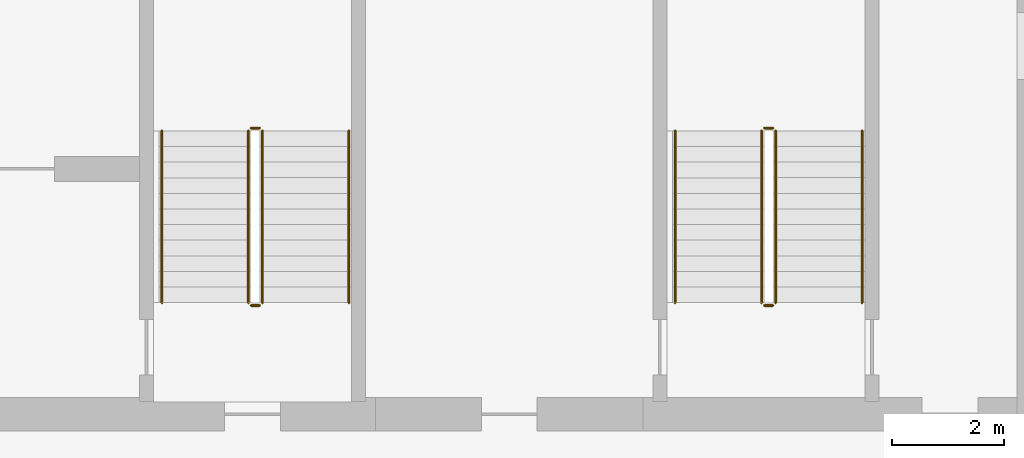
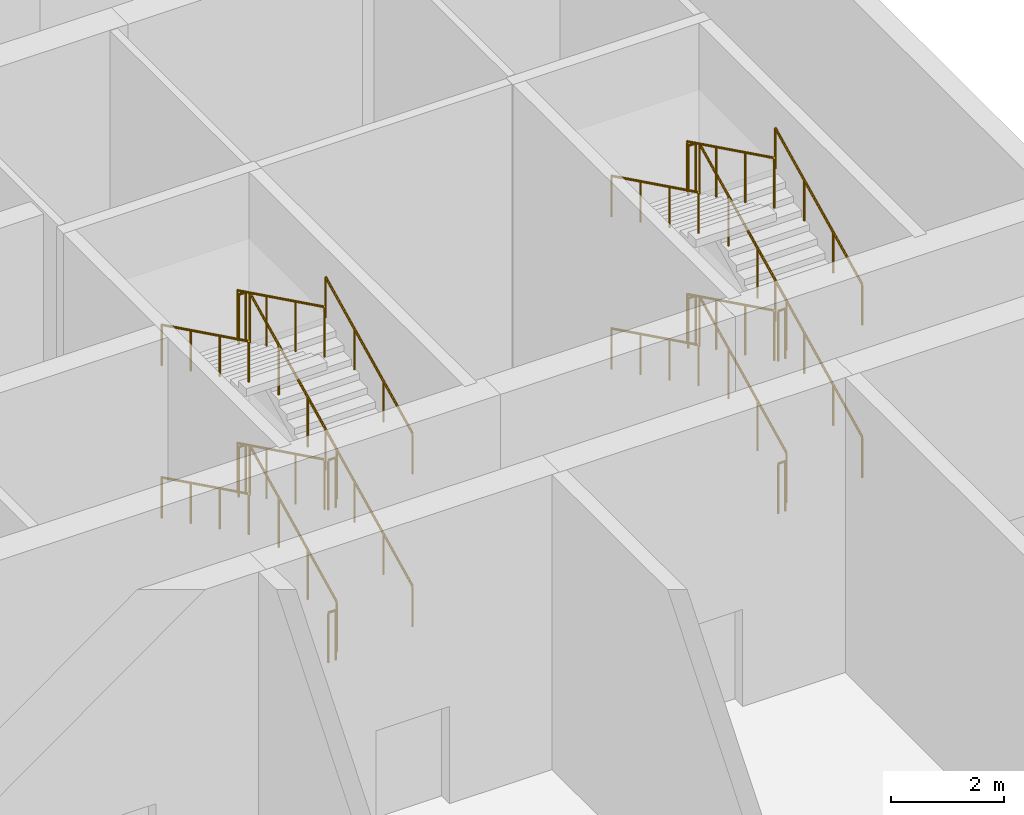
# One storey, part 13 of 13: 24 railings.
"""IFC4 building model written with IfcOpenShell, lengths in metres."""

import ifcopenshell
import ifcopenshell.guid

model = None  # the IFC model being written
_history = None  # IfcOwnerHistory: only IFC2X3 demands one
_inside = {}  # id of a spatial element -> (the spatial element, [elements in it])
_under = {}  # id of a project, library or spatial element -> (it, [spatial elements below it])
_declared = {}  # id of a project -> (the project, [libraries it declares])
_typed = {}  # id of a type object -> (the type object, [elements of that type])
_made_of = {}  # id of a material, layer set ... -> (it, [elements and type objects made of it])


def new_model(schema):
    """Start an empty IFC model of exactly this schema.

    Asked for "IFC4X3", IfcOpenShell would pick the latest addendum, in which some entities
    have other attributes; the version numbers below select the first issue.
    IFC2X3 requires an IfcOwnerHistory on every rooted entity: one is made here for all.
    """
    global model, _history
    if schema == "IFC4X3":
        model = ifcopenshell.file(schema_version=(4, 3, 0, 0))
    else:
        model = ifcopenshell.file(schema=schema)
    _inside.clear()
    _under.clear()
    _declared.clear()
    _typed.clear()
    _made_of.clear()
    _history = None
    if model.schema == "IFC2X3":
        org = make("IfcOrganization", Name="unknown")
        user = make(
            "IfcPersonAndOrganization",
            ThePerson=make("IfcPerson", FamilyName="unknown"),
            TheOrganization=org,
        )
        app = make(
            "IfcApplication",
            ApplicationDeveloper=org,
            Version="unknown",
            ApplicationFullName="unknown",
            ApplicationIdentifier="unknown",
        )
        _history = make(
            "IfcOwnerHistory",
            OwningUser=user,
            OwningApplication=app,
            ChangeAction="ADDED",
            CreationDate=0,
        )
    return model


def make(cls, **values):
    """One entity of the class cls with the attributes given. An attribute that is None is left unset."""
    return model.create_entity(
        cls, **{name: value for name, value in values.items() if value is not None}
    )


def rooted(cls, **values):
    """An entity with a GlobalId (a new one), such as an element, a storey or a relation."""
    return make(cls, GlobalId=ifcopenshell.guid.new(), OwnerHistory=_history, **values)


def si_unit(unit_type, name, prefix=None):
    """IfcSIUnit, for example si_unit("LENGTHUNIT", "METRE", prefix="MILLI")."""
    return make("IfcSIUnit", UnitType=unit_type, Prefix=prefix, Name=name)


def assignment(units):
    """IfcUnitAssignment: the units of a project."""
    return None if units is None else make("IfcUnitAssignment", Units=units)


def point(xyz):
    """IfcCartesianPoint."""
    return None if xyz is None else make("IfcCartesianPoint", Coordinates=xyz)


def direction(xyz):
    """IfcDirection."""
    return None if xyz is None else make("IfcDirection", DirectionRatios=xyz)


def frame(location, z_axis=None, x_axis=None):
    """IfcAxis2Placement3D, a coordinate frame: its origin and axes. An axis left out is left unset."""
    return make(
        "IfcAxis2Placement3D",
        Location=point(location),
        Axis=direction(z_axis),
        RefDirection=direction(x_axis),
    )


def frame_2d(location, x_axis=None):
    """IfcAxis2Placement2D, a coordinate frame in the plane: its origin and x axis."""
    return make(
        "IfcAxis2Placement2D", Location=point(location), RefDirection=direction(x_axis)
    )


def origin():
    """The frame at (0, 0, 0) with its axes left unset."""
    return frame((0.0, 0.0, 0.0))


def origin_2d():
    """The frame at (0, 0) in the plane with its x axis left unset."""
    return frame_2d((0.0, 0.0))


def place(relative_to, where):
    """IfcLocalPlacement: puts the frame where relative to a parent placement (None: the world)."""
    return make(
        "IfcLocalPlacement", PlacementRelTo=relative_to, RelativePlacement=where
    )


def context(
    kind, dimensions, precision=None, world=None, true_north=None, identifier=None
):
    """IfcGeometricRepresentationContext, for example the 3D "Model" context."""
    return make(
        "IfcGeometricRepresentationContext",
        ContextIdentifier=identifier,
        ContextType=kind,
        CoordinateSpaceDimension=dimensions,
        Precision=precision,
        WorldCoordinateSystem=world,
        TrueNorth=true_north,
    )


def subcontext(parent, identifier, kind, view, scale=None):
    """IfcGeometricRepresentationSubContext, for example "Body" below "Model"."""
    return make(
        "IfcGeometricRepresentationSubContext",
        ContextIdentifier=identifier,
        ContextType=kind,
        ParentContext=parent,
        TargetScale=scale,
        TargetView=view,
    )


def project(units=None, contexts=None):
    """IfcProject with its units and contexts."""
    return rooted(
        "IfcProject",
        Name="project",
        RepresentationContexts=contexts,
        UnitsInContext=assignment(units),
    )


def spatial(cls, under=None, at=None, **own):
    """A site, building, storey or space (cls), placed at a placement, below another one or the project."""
    s = rooted(cls, ObjectPlacement=at, **own)
    if under is not None:
        _under.setdefault(under.id(), (under, []))[1].append(s)
    return s


def profile(cls, at=None, kind="AREA", **sizes):
    """A parametric profile (cls). Its sizes go by their IFC names, for example OverallWidth=200.0."""
    return make(cls, ProfileType=kind, Position=at, **sizes)


def circle(**sizes):
    """IfcCircleProfileDef."""
    return profile("IfcCircleProfileDef", **sizes)


def extrude(swept, where, along, depth):
    """IfcExtrudedAreaSolid: the profile swept, set in the frame where, extruded along a direction by depth."""
    return make(
        "IfcExtrudedAreaSolid",
        SweptArea=swept,
        Position=where,
        ExtrudedDirection=direction(along),
        Depth=depth,
    )


def shape(context_of_items, identifier, shape_type, items):
    """IfcShapeRepresentation: the items that make up one representation, for example the "Body"."""
    return make(
        "IfcShapeRepresentation",
        ContextOfItems=context_of_items,
        RepresentationIdentifier=identifier,
        RepresentationType=shape_type,
        Items=items,
    )


def material(Name=None, Category=None):
    """IfcMaterial."""
    return make("IfcMaterial", Name=Name, Category=Category)


def made_of(thing, what):
    """Note that an element or type object is made of a material, layer set ...; save() writes the relation."""
    if what is not None:
        _made_of.setdefault(what.id(), (what, []))[1].append(thing)
    return thing


def type_object(cls, material=None, **own):
    """A type object (cls), such as IfcWallType, which elements share."""
    return made_of(rooted(cls, **own), material)


def element(
    cls,
    number,
    at=None,
    inside=None,
    cuts=None,
    type_object=None,
    material=None,
    context=None,
    identifier="Body",
    shape_type=None,
    held_by="IfcProductDefinitionShape",
    body=None,
    shapes=None,
    **own,
):
    """One element of the class cls, such as IfcWall. Its Tag is "e" and its number.

    at: its placement. inside: the storey or other place that contains it. cuts: it is an
    opening in that element (IfcRelVoidsElement). A single representation is given by context,
    identifier, shape_type and body (its items); several are given by shapes. held_by: the class
    of the entity that holds the representations. save() writes the other relations.
    """
    e = rooted(cls, Tag="e%d" % number, ObjectPlacement=at, **own)
    if body is not None:
        shapes = [shape(context, identifier, shape_type, body)]
    if shapes is not None:
        e.Representation = make(held_by, Representations=shapes)
    if inside is not None:
        _inside.setdefault(inside.id(), (inside, []))[1].append(e)
    if cuts is not None:
        rooted(
            "IfcRelVoidsElement", RelatingBuildingElement=cuts, RelatedOpeningElement=e
        )
    if type_object is not None:
        _typed.setdefault(type_object.id(), (type_object, []))[1].append(e)
    return made_of(e, material)


def aggregate(whole, parts):
    """IfcRelAggregates: a whole, such as a stair, and the parts it consists of."""
    return rooted("IfcRelAggregates", RelatingObject=whole, RelatedObjects=parts)


def save(model, path):
    """Write the relations noted so far, then the file.

    IfcRelAggregates (storeys below a building ...), IfcRelContainedInSpatialStructure (elements
    in a storey), IfcRelDefinesByType, IfcRelAssociatesMaterial and IfcRelDeclares: one each for
    every whole, place, type object, material and project.
    """
    for whole, parts in _under.values():
        aggregate(whole, parts)
    for where, things in _inside.values():
        rooted(
            "IfcRelContainedInSpatialStructure",
            RelatedElements=things,
            RelatingStructure=where,
        )
    for kind, things in _typed.values():
        rooted("IfcRelDefinesByType", RelatedObjects=things, RelatingType=kind)
    for what, things in _made_of.values():
        rooted("IfcRelAssociatesMaterial", RelatedObjects=things, RelatingMaterial=what)
    for by, libraries in _declared.values():
        rooted("IfcRelDeclares", RelatingContext=by, RelatedDefinitions=libraries)
    model.write(path)


model = new_model("IFC4")

# Units and contexts
model_context = context("Model", 3, precision=1e-05, world=origin(), true_north=direction((0.0, 1.0)))
body_context = subcontext(model_context, "Body", "Model", "MODEL_VIEW")
ifc_project = project(units=[si_unit("LENGTHUNIT", "METRE"), si_unit("AREAUNIT", "SQUARE_METRE"), si_unit("VOLUMEUNIT", "CUBIC_METRE"), si_unit("PLANEANGLEUNIT", "RADIAN"), si_unit("MASSUNIT", "GRAM", prefix="KILO")], contexts=[model_context])

# Site, building, storey
site_placement = place(None, origin())
site = spatial("IfcSite", under=ifc_project, at=site_placement, CompositionType="ELEMENT")
building_placement = place(site_placement, origin())
building = spatial("IfcBuilding", under=site, at=building_placement, Name="Poui Terraces", CompositionType="ELEMENT")
storey_placement = place(building_placement, frame((0.0, 0.0, 165.300048828125)))
storey = spatial("IfcBuildingStorey", under=building, at=storey_placement, Name="L46", CompositionType="ELEMENT", Elevation=165.300048828125)

# Railings
ifc_material_1 = material(Name="Galvanised steel balustrade", Category="steel")
railing_type_1 = type_object("IfcRailingType", Name="STAIR GUARD 1100", PredefinedType="GUARDRAIL", material=ifc_material_1)
railing_1_placement = place(storey_placement, frame((70.27490234375, 16.60009765625, 0.137451171875)))
element("IfcRailing", 1, at=railing_1_placement, inside=storey, type_object=railing_type_1, Name="L46 ST-CE stair guard 1", PredefinedType="GUARDRAIL", context=body_context, shape_type="SweptSolid", body=[
    extrude(circle(Radius=0.02392578125, at=origin_2d()), frame((0.0, 0.0, 1.076171875), z_axis=(0.0, 0.897606190399, 0.440798283751), x_axis=(-1.0, 0.0, 0.0)), (0.0, 0.0, 1.0), 3.43115234375),
    extrude(circle(Radius=0.02099609375, at=origin_2d()), origin(), (0.0, 0.0, 1.0), 1.052001953125),
    extrude(circle(Radius=0.02099609375, at=origin_2d()), frame((0.0, 1.026611328125, 0.504150390625)), (0.0, 0.0, 1.0), 1.052001953125),
    extrude(circle(Radius=0.02099609375, at=origin_2d()), frame((0.0, 2.05322265625, 1.00830078125)), (0.0, 0.0, 1.0), 1.052001953125),
    extrude(circle(Radius=0.02099609375, at=origin_2d()), frame((0.0, 3.079833984375, 1.512451171875)), (0.0, 0.0, 1.0), 1.052001953125),
])
railing_2_placement = place(storey_placement, frame((70.22509765625, 19.72998046875, 1.64990234375)))
element("IfcRailing", 2, at=railing_2_placement, inside=storey, type_object=railing_type_1, Name="L46 ST-CE stair guard 2", PredefinedType="GUARDRAIL", context=body_context, shape_type="SweptSolid", body=[
    extrude(circle(Radius=0.02392578125, at=origin_2d()), frame((0.0, 0.0, 1.076171875), z_axis=(-1.0, 0.0, 0.0), x_axis=(0.0, -1.0, 0.0)), (0.0, 0.0, 1.0), 0.150146484375),
    extrude(circle(Radius=0.02099609375, at=origin_2d()), origin(), (0.0, 0.0, 1.0), 1.052001953125),
    extrude(circle(Radius=0.02099609375, at=origin_2d()), frame((-0.150146484375, 0.0, 0.0)), (0.0, 0.0, 1.0), 1.052001953125),
])
railing_3_placement = place(storey_placement, frame((70.02490234375, 19.679931640625, 1.787353515625)))
element("IfcRailing", 3, at=railing_3_placement, inside=storey, type_object=railing_type_1, Name="L46 ST-CE stair guard 3", PredefinedType="GUARDRAIL", context=body_context, shape_type="SweptSolid", body=[
    extrude(circle(Radius=0.02392578125, at=origin_2d()), frame((0.0, 0.0, 1.076171875), z_axis=(0.0, -0.897578036475, 0.440855609512), x_axis=(1.0, 0.0, 0.0)), (0.0, 0.0, 1.0), 3.43115234375),
    extrude(circle(Radius=0.02099609375, at=origin_2d()), origin(), (0.0, 0.0, 1.0), 1.052001953125),
    extrude(circle(Radius=0.02099609375, at=origin_2d()), frame((0.0, -1.026611328125, 0.504150390625)), (0.0, 0.0, 1.0), 1.052001953125),
    extrude(circle(Radius=0.02099609375, at=origin_2d()), frame((0.0, -2.05322265625, 1.008544921875)), (0.0, 0.0, 1.0), 1.052001953125),
    extrude(circle(Radius=0.02099609375, at=origin_2d()), frame((0.0, -3.079833984375, 1.5126953125)), (0.0, 0.0, 1.0), 1.052001953125),
])
railing_4_placement = place(storey_placement, frame((70.22509765625, 16.550048828125, 3.300048828125)))
element("IfcRailing", 4, at=railing_4_placement, inside=storey, type_object=railing_type_1, Name="L46 ST-CE stair guard 4", PredefinedType="GUARDRAIL", context=body_context, shape_type="SweptSolid", body=[
    extrude(circle(Radius=0.02392578125, at=origin_2d()), frame((0.0, 0.0, 1.076171875), z_axis=(-1.0, 0.0, 0.0), x_axis=(0.0, -1.0, 0.0)), (0.0, 0.0, 1.0), 0.150146484375),
    extrude(circle(Radius=0.02099609375, at=origin_2d()), origin(), (0.0, 0.0, 1.0), 1.052001953125),
    extrude(circle(Radius=0.02099609375, at=origin_2d()), frame((-0.150146484375, 0.0, 0.0)), (0.0, 0.0, 1.0), 1.052001953125),
])
railing_5_placement = place(storey_placement, frame((70.27490234375, 16.60009765625, 3.4375)))
element("IfcRailing", 5, at=railing_5_placement, inside=storey, type_object=railing_type_1, Name="L46 ST-CE stair guard 5", PredefinedType="GUARDRAIL", context=body_context, shape_type="SweptSolid", body=[
    extrude(circle(Radius=0.02392578125, at=origin_2d()), frame((0.0, 0.0, 1.076171875), z_axis=(0.0, 0.897606190399, 0.440798283751), x_axis=(-1.0, 0.0, 0.0)), (0.0, 0.0, 1.0), 3.43115234375),
    extrude(circle(Radius=0.02099609375, at=origin_2d()), origin(), (0.0, 0.0, 1.0), 1.052001953125),
    extrude(circle(Radius=0.02099609375, at=origin_2d()), frame((0.0, 1.026611328125, 0.504150390625)), (0.0, 0.0, 1.0), 1.052001953125),
    extrude(circle(Radius=0.02099609375, at=origin_2d()), frame((0.0, 2.05322265625, 1.00830078125)), (0.0, 0.0, 1.0), 1.052001953125),
    extrude(circle(Radius=0.02099609375, at=origin_2d()), frame((0.0, 3.079833984375, 1.512451171875)), (0.0, 0.0, 1.0), 1.052001953125),
])
railing_6_placement = place(storey_placement, frame((70.22509765625, 19.72998046875, 4.949951171875)))
element("IfcRailing", 6, at=railing_6_placement, inside=storey, type_object=railing_type_1, Name="L46 ST-CE stair guard 6", PredefinedType="GUARDRAIL", context=body_context, shape_type="SweptSolid", body=[
    extrude(circle(Radius=0.02392578125, at=origin_2d()), frame((0.0, 0.0, 1.076171875), z_axis=(-1.0, 0.0, 0.0), x_axis=(0.0, -1.0, 0.0)), (0.0, 0.0, 1.0), 0.150146484375),
    extrude(circle(Radius=0.02099609375, at=origin_2d()), origin(), (0.0, 0.0, 1.0), 1.052001953125),
    extrude(circle(Radius=0.02099609375, at=origin_2d()), frame((-0.150146484375, 0.0, 0.0)), (0.0, 0.0, 1.0), 1.052001953125),
])
railing_7_placement = place(storey_placement, frame((70.02490234375, 19.679931640625, 5.08740234375)))
element("IfcRailing", 7, at=railing_7_placement, inside=storey, type_object=railing_type_1, Name="L46 ST-CE stair guard 7", PredefinedType="GUARDRAIL", context=body_context, shape_type="SweptSolid", body=[
    extrude(circle(Radius=0.02392578125, at=origin_2d()), frame((0.0, 0.0, 1.076171875), z_axis=(0.0, -0.897606190399, 0.440798283751), x_axis=(1.0, 0.0, 0.0)), (0.0, 0.0, 1.0), 3.43115234375),
    extrude(circle(Radius=0.02099609375, at=origin_2d()), origin(), (0.0, 0.0, 1.0), 1.052001953125),
    extrude(circle(Radius=0.02099609375, at=origin_2d()), frame((0.0, -1.026611328125, 0.504150390625)), (0.0, 0.0, 1.0), 1.052001953125),
    extrude(circle(Radius=0.02099609375, at=origin_2d()), frame((0.0, -2.05322265625, 1.00830078125)), (0.0, 0.0, 1.0), 1.052001953125),
    extrude(circle(Radius=0.02099609375, at=origin_2d()), frame((0.0, -3.079833984375, 1.512451171875)), (0.0, 0.0, 1.0), 1.052001953125),
])
railing_8_placement = place(storey_placement, frame((70.22509765625, 16.550048828125, 0.0)))
element("IfcRailing", 8, at=railing_8_placement, inside=storey, type_object=railing_type_1, Name="L46 ST-CE stair guard 8", PredefinedType="GUARDRAIL", context=body_context, shape_type="SweptSolid", body=[
    extrude(circle(Radius=0.02392578125, at=origin_2d()), frame((0.0, 0.0, 1.076171875), z_axis=(-1.0, 0.0, 0.0), x_axis=(0.0, -1.0, 0.0)), (0.0, 0.0, 1.0), 0.150146484375),
    extrude(circle(Radius=0.02099609375, at=origin_2d()), origin(), (0.0, 0.0, 1.0), 1.052001953125),
    extrude(circle(Radius=0.02099609375, at=origin_2d()), frame((-0.150146484375, 0.0, 0.0)), (0.0, 0.0, 1.0), 1.052001953125),
])
railing_9_placement = place(storey_placement, frame((79.47509765625, 16.60009765625, 0.137451171875)))
element("IfcRailing", 9, at=railing_9_placement, inside=storey, type_object=railing_type_1, Name="L46 ST-E stair guard 1", PredefinedType="GUARDRAIL", context=body_context, shape_type="SweptSolid", body=[
    extrude(circle(Radius=0.02392578125, at=origin_2d()), frame((0.0, 0.0, 1.076171875), z_axis=(0.0, 0.897606190399, 0.440798283751), x_axis=(-1.0, 0.0, 0.0)), (0.0, 0.0, 1.0), 3.43115234375),
    extrude(circle(Radius=0.02099609375, at=origin_2d()), origin(), (0.0, 0.0, 1.0), 1.052001953125),
    extrude(circle(Radius=0.02099609375, at=origin_2d()), frame((0.0, 1.026611328125, 0.504150390625)), (0.0, 0.0, 1.0), 1.052001953125),
    extrude(circle(Radius=0.02099609375, at=origin_2d()), frame((0.0, 2.05322265625, 1.00830078125)), (0.0, 0.0, 1.0), 1.052001953125),
    extrude(circle(Radius=0.02099609375, at=origin_2d()), frame((0.0, 3.079833984375, 1.512451171875)), (0.0, 0.0, 1.0), 1.052001953125),
])
railing_10_placement = place(storey_placement, frame((79.425048828125, 19.72998046875, 1.64990234375)))
element("IfcRailing", 10, at=railing_10_placement, inside=storey, type_object=railing_type_1, Name="L46 ST-E stair guard 2", PredefinedType="GUARDRAIL", context=body_context, shape_type="SweptSolid", body=[
    extrude(circle(Radius=0.02392578125, at=origin_2d()), frame((0.0, 0.0, 1.076171875), z_axis=(-1.0, 0.0, 0.0), x_axis=(0.0, -1.0, 0.0)), (0.0, 0.0, 1.0), 0.150146484375),
    extrude(circle(Radius=0.02099609375, at=origin_2d()), origin(), (0.0, 0.0, 1.0), 1.052001953125),
    extrude(circle(Radius=0.02099609375, at=origin_2d()), frame((-0.150146484375, 0.0, 0.0)), (0.0, 0.0, 1.0), 1.052001953125),
])
railing_11_placement = place(storey_placement, frame((79.22509765625, 19.679931640625, 1.787353515625)))
element("IfcRailing", 11, at=railing_11_placement, inside=storey, type_object=railing_type_1, Name="L46 ST-E stair guard 3", PredefinedType="GUARDRAIL", context=body_context, shape_type="SweptSolid", body=[
    extrude(circle(Radius=0.02392578125, at=origin_2d()), frame((0.0, 0.0, 1.076171875), z_axis=(0.0, -0.897578036475, 0.440855609512), x_axis=(1.0, 0.0, 0.0)), (0.0, 0.0, 1.0), 3.43115234375),
    extrude(circle(Radius=0.02099609375, at=origin_2d()), origin(), (0.0, 0.0, 1.0), 1.052001953125),
    extrude(circle(Radius=0.02099609375, at=origin_2d()), frame((0.0, -1.026611328125, 0.504150390625)), (0.0, 0.0, 1.0), 1.052001953125),
    extrude(circle(Radius=0.02099609375, at=origin_2d()), frame((0.0, -2.05322265625, 1.008544921875)), (0.0, 0.0, 1.0), 1.052001953125),
    extrude(circle(Radius=0.02099609375, at=origin_2d()), frame((0.0, -3.079833984375, 1.5126953125)), (0.0, 0.0, 1.0), 1.052001953125),
])
railing_12_placement = place(storey_placement, frame((79.425048828125, 16.550048828125, 3.300048828125)))
element("IfcRailing", 12, at=railing_12_placement, inside=storey, type_object=railing_type_1, Name="L46 ST-E stair guard 4", PredefinedType="GUARDRAIL", context=body_context, shape_type="SweptSolid", body=[
    extrude(circle(Radius=0.02392578125, at=origin_2d()), frame((0.0, 0.0, 1.076171875), z_axis=(-1.0, 0.0, 0.0), x_axis=(0.0, -1.0, 0.0)), (0.0, 0.0, 1.0), 0.150146484375),
    extrude(circle(Radius=0.02099609375, at=origin_2d()), origin(), (0.0, 0.0, 1.0), 1.052001953125),
    extrude(circle(Radius=0.02099609375, at=origin_2d()), frame((-0.150146484375, 0.0, 0.0)), (0.0, 0.0, 1.0), 1.052001953125),
])
railing_13_placement = place(storey_placement, frame((79.47509765625, 16.60009765625, 3.4375)))
element("IfcRailing", 13, at=railing_13_placement, inside=storey, type_object=railing_type_1, Name="L46 ST-E stair guard 5", PredefinedType="GUARDRAIL", context=body_context, shape_type="SweptSolid", body=[
    extrude(circle(Radius=0.02392578125, at=origin_2d()), frame((0.0, 0.0, 1.076171875), z_axis=(0.0, 0.897606190399, 0.440798283751), x_axis=(-1.0, 0.0, 0.0)), (0.0, 0.0, 1.0), 3.43115234375),
    extrude(circle(Radius=0.02099609375, at=origin_2d()), origin(), (0.0, 0.0, 1.0), 1.052001953125),
    extrude(circle(Radius=0.02099609375, at=origin_2d()), frame((0.0, 1.026611328125, 0.504150390625)), (0.0, 0.0, 1.0), 1.052001953125),
    extrude(circle(Radius=0.02099609375, at=origin_2d()), frame((0.0, 2.05322265625, 1.00830078125)), (0.0, 0.0, 1.0), 1.052001953125),
    extrude(circle(Radius=0.02099609375, at=origin_2d()), frame((0.0, 3.079833984375, 1.512451171875)), (0.0, 0.0, 1.0), 1.052001953125),
])
railing_14_placement = place(storey_placement, frame((79.425048828125, 19.72998046875, 4.949951171875)))
element("IfcRailing", 14, at=railing_14_placement, inside=storey, type_object=railing_type_1, Name="L46 ST-E stair guard 6", PredefinedType="GUARDRAIL", context=body_context, shape_type="SweptSolid", body=[
    extrude(circle(Radius=0.02392578125, at=origin_2d()), frame((0.0, 0.0, 1.076171875), z_axis=(-1.0, 0.0, 0.0), x_axis=(0.0, -1.0, 0.0)), (0.0, 0.0, 1.0), 0.150146484375),
    extrude(circle(Radius=0.02099609375, at=origin_2d()), origin(), (0.0, 0.0, 1.0), 1.052001953125),
    extrude(circle(Radius=0.02099609375, at=origin_2d()), frame((-0.150146484375, 0.0, 0.0)), (0.0, 0.0, 1.0), 1.052001953125),
])
railing_15_placement = place(storey_placement, frame((79.22509765625, 19.679931640625, 5.08740234375)))
element("IfcRailing", 15, at=railing_15_placement, inside=storey, type_object=railing_type_1, Name="L46 ST-E stair guard 7", PredefinedType="GUARDRAIL", context=body_context, shape_type="SweptSolid", body=[
    extrude(circle(Radius=0.02392578125, at=origin_2d()), frame((0.0, 0.0, 1.076171875), z_axis=(0.0, -0.897606190399, 0.440798283751), x_axis=(1.0, 0.0, 0.0)), (0.0, 0.0, 1.0), 3.43115234375),
    extrude(circle(Radius=0.02099609375, at=origin_2d()), origin(), (0.0, 0.0, 1.0), 1.052001953125),
    extrude(circle(Radius=0.02099609375, at=origin_2d()), frame((0.0, -1.026611328125, 0.504150390625)), (0.0, 0.0, 1.0), 1.052001953125),
    extrude(circle(Radius=0.02099609375, at=origin_2d()), frame((0.0, -2.05322265625, 1.00830078125)), (0.0, 0.0, 1.0), 1.052001953125),
    extrude(circle(Radius=0.02099609375, at=origin_2d()), frame((0.0, -3.079833984375, 1.512451171875)), (0.0, 0.0, 1.0), 1.052001953125),
])
railing_16_placement = place(storey_placement, frame((79.425048828125, 16.550048828125, 0.0)))
element("IfcRailing", 16, at=railing_16_placement, inside=storey, type_object=railing_type_1, Name="L46 ST-E stair guard 8", PredefinedType="GUARDRAIL", context=body_context, shape_type="SweptSolid", body=[
    extrude(circle(Radius=0.02392578125, at=origin_2d()), frame((0.0, 0.0, 1.076171875), z_axis=(-1.0, 0.0, 0.0), x_axis=(0.0, -1.0, 0.0)), (0.0, 0.0, 1.0), 0.150146484375),
    extrude(circle(Radius=0.02099609375, at=origin_2d()), origin(), (0.0, 0.0, 1.0), 1.052001953125),
    extrude(circle(Radius=0.02099609375, at=origin_2d()), frame((-0.150146484375, 0.0, 0.0)), (0.0, 0.0, 1.0), 1.052001953125),
])
ifc_material_2 = material(Name="Stainless steel handrail", Category="steel")
railing_type_2 = type_object("IfcRailingType", Name="STAIR HANDRAIL 900", PredefinedType="HANDRAIL", material=ifc_material_2)
railing_17_placement = place(storey_placement, frame((71.824951171875, 16.60009765625, 0.137451171875)))
element("IfcRailing", 17, at=railing_17_placement, inside=storey, type_object=railing_type_2, Name="L46 ST-CE stair handrail 1", PredefinedType="HANDRAIL", context=body_context, shape_type="SweptSolid", body=[
    extrude(circle(Radius=0.02392578125, at=origin_2d()), frame((0.0, 0.0, 0.8759765625), z_axis=(0.0, 0.897606190399, 0.440798283751), x_axis=(-1.0, 0.0, 0.0)), (0.0, 0.0, 1.0), 3.43115234375),
    extrude(circle(Radius=0.02099609375, at=origin_2d()), origin(), (0.0, 0.0, 1.0), 0.851806640625),
    extrude(circle(Radius=0.02099609375, at=origin_2d()), frame((0.0, 1.026611328125, 0.504150390625)), (0.0, 0.0, 1.0), 0.851806640625),
    extrude(circle(Radius=0.02099609375, at=origin_2d()), frame((0.0, 2.05322265625, 1.00830078125)), (0.0, 0.0, 1.0), 0.851806640625),
    extrude(circle(Radius=0.02099609375, at=origin_2d()), frame((0.0, 3.079833984375, 1.512451171875)), (0.0, 0.0, 1.0), 0.851806640625),
])
railing_18_placement = place(storey_placement, frame((68.47509765625, 19.679931640625, 1.787353515625)))
element("IfcRailing", 18, at=railing_18_placement, inside=storey, type_object=railing_type_2, Name="L46 ST-CE stair handrail 2", PredefinedType="HANDRAIL", context=body_context, shape_type="SweptSolid", body=[
    extrude(circle(Radius=0.02392578125, at=origin_2d()), frame((0.0, 0.0, 0.8759765625), z_axis=(0.0, -0.897578036475, 0.440855609512), x_axis=(1.0, 0.0, 0.0)), (0.0, 0.0, 1.0), 3.43115234375),
    extrude(circle(Radius=0.02099609375, at=origin_2d()), origin(), (0.0, 0.0, 1.0), 0.851806640625),
    extrude(circle(Radius=0.02099609375, at=origin_2d()), frame((0.0, -1.026611328125, 0.504150390625)), (0.0, 0.0, 1.0), 0.851806640625),
    extrude(circle(Radius=0.02099609375, at=origin_2d()), frame((0.0, -2.05322265625, 1.008544921875)), (0.0, 0.0, 1.0), 0.851806640625),
    extrude(circle(Radius=0.02099609375, at=origin_2d()), frame((0.0, -3.079833984375, 1.5126953125)), (0.0, 0.0, 1.0), 0.851806640625),
])
railing_19_placement = place(storey_placement, frame((71.824951171875, 16.60009765625, 3.4375)))
element("IfcRailing", 19, at=railing_19_placement, inside=storey, type_object=railing_type_2, Name="L46 ST-CE stair handrail 3", PredefinedType="HANDRAIL", context=body_context, shape_type="SweptSolid", body=[
    extrude(circle(Radius=0.02392578125, at=origin_2d()), frame((0.0, 0.0, 0.8759765625), z_axis=(0.0, 0.897606190399, 0.440798283751), x_axis=(-1.0, 0.0, 0.0)), (0.0, 0.0, 1.0), 3.43115234375),
    extrude(circle(Radius=0.02099609375, at=origin_2d()), origin(), (0.0, 0.0, 1.0), 0.851806640625),
    extrude(circle(Radius=0.02099609375, at=origin_2d()), frame((0.0, 1.026611328125, 0.504150390625)), (0.0, 0.0, 1.0), 0.851806640625),
    extrude(circle(Radius=0.02099609375, at=origin_2d()), frame((0.0, 2.05322265625, 1.00830078125)), (0.0, 0.0, 1.0), 0.851806640625),
    extrude(circle(Radius=0.02099609375, at=origin_2d()), frame((0.0, 3.079833984375, 1.512451171875)), (0.0, 0.0, 1.0), 0.851806640625),
])
railing_20_placement = place(storey_placement, frame((68.47509765625, 19.679931640625, 5.08740234375)))
element("IfcRailing", 20, at=railing_20_placement, inside=storey, type_object=railing_type_2, Name="L46 ST-CE stair handrail 4", PredefinedType="HANDRAIL", context=body_context, shape_type="SweptSolid", body=[
    extrude(circle(Radius=0.02392578125, at=origin_2d()), frame((0.0, 0.0, 0.8759765625), z_axis=(0.0, -0.897606190399, 0.440798283751), x_axis=(1.0, 0.0, 0.0)), (0.0, 0.0, 1.0), 3.43115234375),
    extrude(circle(Radius=0.02099609375, at=origin_2d()), origin(), (0.0, 0.0, 1.0), 0.851806640625),
    extrude(circle(Radius=0.02099609375, at=origin_2d()), frame((0.0, -1.026611328125, 0.504150390625)), (0.0, 0.0, 1.0), 0.851806640625),
    extrude(circle(Radius=0.02099609375, at=origin_2d()), frame((0.0, -2.05322265625, 1.00830078125)), (0.0, 0.0, 1.0), 0.851806640625),
    extrude(circle(Radius=0.02099609375, at=origin_2d()), frame((0.0, -3.079833984375, 1.512451171875)), (0.0, 0.0, 1.0), 0.851806640625),
])
railing_21_placement = place(storey_placement, frame((81.02490234375, 16.60009765625, 0.137451171875)))
element("IfcRailing", 21, at=railing_21_placement, inside=storey, type_object=railing_type_2, Name="L46 ST-E stair handrail 1", PredefinedType="HANDRAIL", context=body_context, shape_type="SweptSolid", body=[
    extrude(circle(Radius=0.02392578125, at=origin_2d()), frame((0.0, 0.0, 0.8759765625), z_axis=(0.0, 0.897606190399, 0.440798283751), x_axis=(-1.0, 0.0, 0.0)), (0.0, 0.0, 1.0), 3.43115234375),
    extrude(circle(Radius=0.02099609375, at=origin_2d()), origin(), (0.0, 0.0, 1.0), 0.851806640625),
    extrude(circle(Radius=0.02099609375, at=origin_2d()), frame((0.0, 1.026611328125, 0.504150390625)), (0.0, 0.0, 1.0), 0.851806640625),
    extrude(circle(Radius=0.02099609375, at=origin_2d()), frame((0.0, 2.05322265625, 1.00830078125)), (0.0, 0.0, 1.0), 0.851806640625),
    extrude(circle(Radius=0.02099609375, at=origin_2d()), frame((0.0, 3.079833984375, 1.512451171875)), (0.0, 0.0, 1.0), 0.851806640625),
])
railing_22_placement = place(storey_placement, frame((77.675048828125, 19.679931640625, 1.787353515625)))
element("IfcRailing", 22, at=railing_22_placement, inside=storey, type_object=railing_type_2, Name="L46 ST-E stair handrail 2", PredefinedType="HANDRAIL", context=body_context, shape_type="SweptSolid", body=[
    extrude(circle(Radius=0.02392578125, at=origin_2d()), frame((0.0, 0.0, 0.8759765625), z_axis=(0.0, -0.897578036475, 0.440855609512), x_axis=(1.0, 0.0, 0.0)), (0.0, 0.0, 1.0), 3.43115234375),
    extrude(circle(Radius=0.02099609375, at=origin_2d()), origin(), (0.0, 0.0, 1.0), 0.851806640625),
    extrude(circle(Radius=0.02099609375, at=origin_2d()), frame((0.0, -1.026611328125, 0.504150390625)), (0.0, 0.0, 1.0), 0.851806640625),
    extrude(circle(Radius=0.02099609375, at=origin_2d()), frame((0.0, -2.05322265625, 1.008544921875)), (0.0, 0.0, 1.0), 0.851806640625),
    extrude(circle(Radius=0.02099609375, at=origin_2d()), frame((0.0, -3.079833984375, 1.5126953125)), (0.0, 0.0, 1.0), 0.851806640625),
])
railing_23_placement = place(storey_placement, frame((81.02490234375, 16.60009765625, 3.4375)))
element("IfcRailing", 23, at=railing_23_placement, inside=storey, type_object=railing_type_2, Name="L46 ST-E stair handrail 3", PredefinedType="HANDRAIL", context=body_context, shape_type="SweptSolid", body=[
    extrude(circle(Radius=0.02392578125, at=origin_2d()), frame((0.0, 0.0, 0.8759765625), z_axis=(0.0, 0.897606190399, 0.440798283751), x_axis=(-1.0, 0.0, 0.0)), (0.0, 0.0, 1.0), 3.43115234375),
    extrude(circle(Radius=0.02099609375, at=origin_2d()), origin(), (0.0, 0.0, 1.0), 0.851806640625),
    extrude(circle(Radius=0.02099609375, at=origin_2d()), frame((0.0, 1.026611328125, 0.504150390625)), (0.0, 0.0, 1.0), 0.851806640625),
    extrude(circle(Radius=0.02099609375, at=origin_2d()), frame((0.0, 2.05322265625, 1.00830078125)), (0.0, 0.0, 1.0), 0.851806640625),
    extrude(circle(Radius=0.02099609375, at=origin_2d()), frame((0.0, 3.079833984375, 1.512451171875)), (0.0, 0.0, 1.0), 0.851806640625),
])
railing_24_placement = place(storey_placement, frame((77.675048828125, 19.679931640625, 5.08740234375)))
element("IfcRailing", 24, at=railing_24_placement, inside=storey, type_object=railing_type_2, Name="L46 ST-E stair handrail 4", PredefinedType="HANDRAIL", context=body_context, shape_type="SweptSolid", body=[
    extrude(circle(Radius=0.02392578125, at=origin_2d()), frame((0.0, 0.0, 0.8759765625), z_axis=(0.0, -0.897606190399, 0.440798283751), x_axis=(1.0, 0.0, 0.0)), (0.0, 0.0, 1.0), 3.43115234375),
    extrude(circle(Radius=0.02099609375, at=origin_2d()), origin(), (0.0, 0.0, 1.0), 0.851806640625),
    extrude(circle(Radius=0.02099609375, at=origin_2d()), frame((0.0, -1.026611328125, 0.504150390625)), (0.0, 0.0, 1.0), 0.851806640625),
    extrude(circle(Radius=0.02099609375, at=origin_2d()), frame((0.0, -2.05322265625, 1.00830078125)), (0.0, 0.0, 1.0), 0.851806640625),
    extrude(circle(Radius=0.02099609375, at=origin_2d()), frame((0.0, -3.079833984375, 1.512451171875)), (0.0, 0.0, 1.0), 0.851806640625),
])

save(model, "model.ifc")
